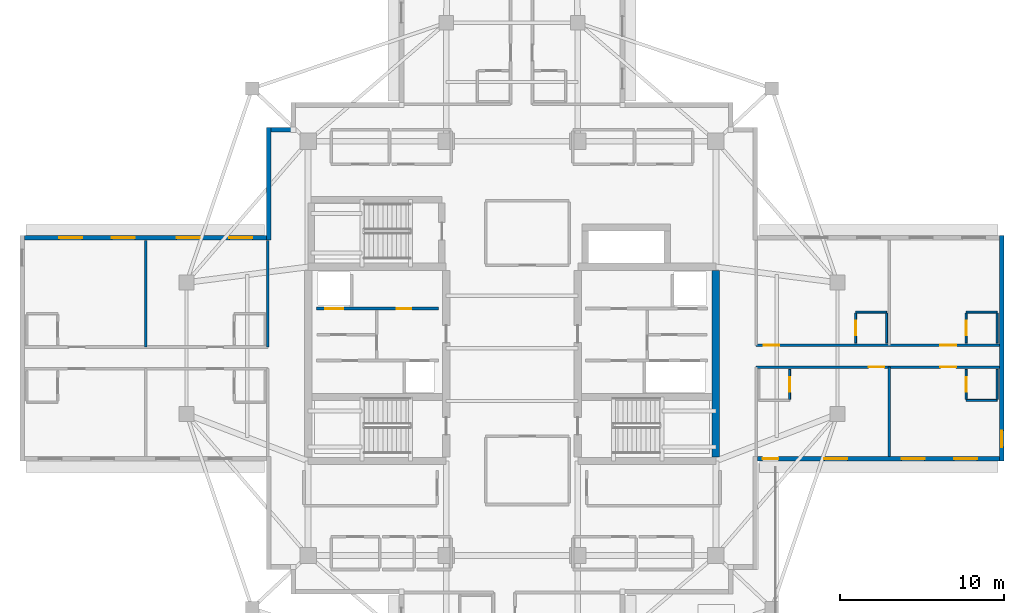
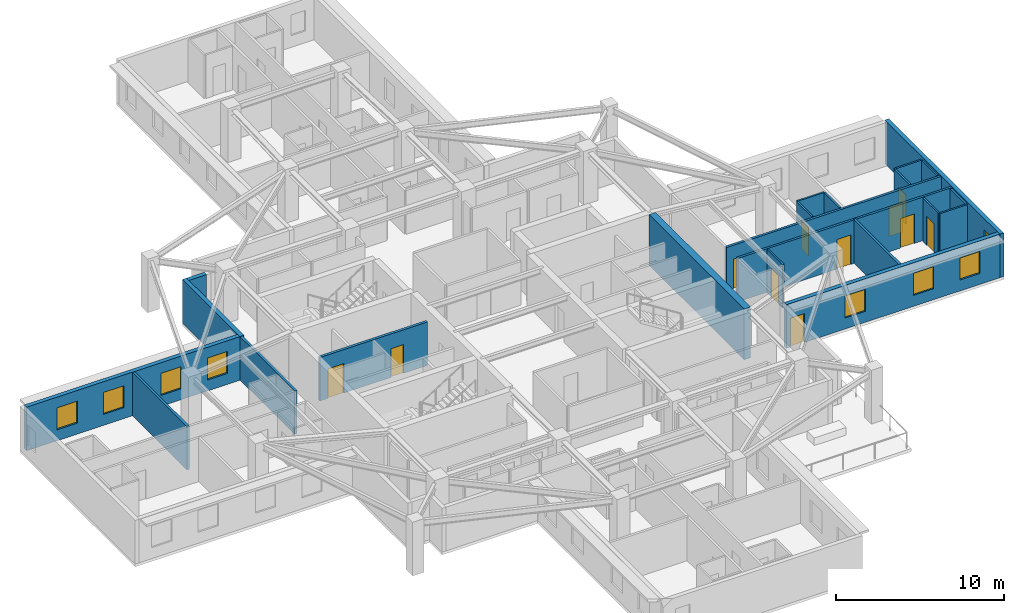
# One storey, part 6 of 13: 22 walls, 11 doors, 8 windows, 19 openings.
"""IFC4 building model written with IfcOpenShell, lengths in metres."""

from ifc_helpers import new_model, si_unit, direction, frame, frame_2d, origin, place, context, subcontext, project, spatial, rectangle, extrude, material, layer, layer_set, type_object, element, fill, save


model = new_model("IFC4")

# Units and contexts
model_context = context("Model", 3, precision=1e-05, world=origin(), true_north=direction((0.0, 1.0)))
body_context = subcontext(model_context, "Body", "Model", "MODEL_VIEW")
ifc_project = project(units=[si_unit("LENGTHUNIT", "METRE"), si_unit("AREAUNIT", "SQUARE_METRE"), si_unit("VOLUMEUNIT", "CUBIC_METRE"), si_unit("PLANEANGLEUNIT", "RADIAN"), si_unit("MASSUNIT", "GRAM", prefix="KILO")], contexts=[model_context])

# Site, building, storey
site_placement = place(None, origin())
site = spatial("IfcSite", under=ifc_project, at=site_placement, CompositionType="ELEMENT")
building_placement = place(site_placement, origin())
building = spatial("IfcBuilding", under=site, at=building_placement, Name="Qingluan Cross Belvedere", CompositionType="ELEMENT")
storey_placement = place(building_placement, frame((0.0, 0.0, 224.699951171875)))
storey = spatial("IfcBuildingStorey", under=building, at=storey_placement, Name="L56", CompositionType="ELEMENT", Elevation=224.699951171875)

# Wall
ifc_material_1 = material(Name="Concrete C50", Category="concrete")
ifc_layer_1 = layer(ifc_material_1, 0.449951171875, Name="CoreShearWall_450")
ifc_layer_set_1 = layer_set([ifc_layer_1], Name="Concrete C50")
wall_type_1 = type_object("IfcWallType", Name="CoreShearWall_450", PredefinedType="SHEAR", material=ifc_layer_set_1)
wall_1_placement = place(storey_placement, frame((12.39990234375, -6.6201171875, 0.0), z_axis=(0.0, 0.0, 1.0), x_axis=(0.0, 1.0, 0.0)))
element("IfcWall", 1, at=wall_1_placement, inside=storey, type_object=wall_type_1, Name="Split core E shear wall L56-E", PredefinedType="SHEAR", context=body_context, shape_type="SweptSolid", body=[
    extrude(rectangle(XDim=11.340087890625, YDim=0.449951171875, at=frame_2d((5.669921875, 0.0))), origin(), (0.0, 0.0, 1.0), 3.699951171875),
])

# Wall, openings, doors
ifc_material_2 = material(Name="Gypsum plasterboard on steel stud acoustic partition", Category="steel")
ifc_layer_2 = layer(ifc_material_2, 0.159912109375, Name="CorridorPartition_160")
ifc_layer_set_2 = layer_set([ifc_layer_2], Name="Gypsum plasterboard on steel stud acoustic partition")
wall_type_2 = type_object("IfcWallType", Name="CorridorPartition_160", PredefinedType="PARTITIONING", material=ifc_layer_set_2)
wall_2_placement = place(storey_placement, frame((14.85009765625, 0.179931640625, 0.0), z_axis=(0.0, 0.0, 1.0), x_axis=(1.0, 0.0, 0.0)))
wall_2 = element("IfcWall", 2, at=wall_2_placement, inside=storey, type_object=wall_type_2, Name="Partition L56:E:c0", PredefinedType="PARTITIONING", context=body_context, shape_type="SweptSolid", body=[
    extrude(rectangle(XDim=14.781982421875, YDim=0.159912109375, at=frame_2d((7.39111328125, 0.0))), origin(), (0.0, 0.0, 1.0), 3.170166015625),
])
opening_1_placement = place(wall_2_placement, frame((0.449951171875, 0.0, 0.0)))
opening_1 = element("IfcOpeningElement", 3, at=opening_1_placement, cuts=wall_2, Name="Opening GD-10", PredefinedType="OPENING", context=body_context, shape_type="SweptSolid", body=[
    extrude(rectangle(XDim=0.9599609375, YDim=2.14990234375, at=frame_2d((0.47998046875, 1.074951171875))), frame((0.0, 0.08984375, 0.0), z_axis=(0.0, -1.0, 0.0), x_axis=(1.0, 0.0, 0.0)), (0.0, 0.0, 1.0), 0.179931640625),
])
opening_2_placement = place(wall_2_placement, frame((11.197998046875, 0.0, 0.0)))
opening_2 = element("IfcOpeningElement", 4, at=opening_2_placement, cuts=wall_2, Name="Opening GD-10", PredefinedType="OPENING", context=body_context, shape_type="SweptSolid", body=[
    extrude(rectangle(XDim=0.9599609375, YDim=2.14990234375, at=frame_2d((0.47998046875, 1.074951171875))), frame((0.0, 0.08984375, 0.0), z_axis=(0.0, -1.0, 0.0), x_axis=(1.0, 0.0, 0.0)), (0.0, 0.0, 1.0), 0.179931640625),
])
ifc_material_3 = material(Name="Timber oak fire-rated acoustic guestroom door", Category="wood")
door_type_1 = type_object("IfcDoorType", Name="GuestEntryDoor_FD60", OperationType="NOTDEFINED", PredefinedType="DOOR", material=ifc_material_3)
door_1_placement = place(opening_1_placement, origin())
door_1 = element("IfcDoor", 5, at=door_1_placement, inside=storey, type_object=door_type_1, Name="Guest entry fire door 5601", OperationType="SINGLE_SWING_LEFT", OverallHeight=2.14990234375, OverallWidth=0.9599609375, PredefinedType="DOOR", context=body_context, shape_type="SweptSolid", body=[
    extrude(rectangle(XDim=0.9599609375, YDim=2.14990234375, at=frame_2d((0.47998046875, 1.074951171875))), frame((0.0, 0.02490234375, 0.0), z_axis=(0.0, -1.0, 0.0), x_axis=(1.0, 0.0, 0.0)), (0.0, 0.0, 1.0), 0.050048828125),
])
fill(opening_1, door_1)
door_2_placement = place(opening_2_placement, origin())
door_2 = element("IfcDoor", 6, at=door_2_placement, inside=storey, type_object=door_type_1, Name="Guest entry fire door 5602", OperationType="SINGLE_SWING_LEFT", OverallHeight=2.14990234375, OverallWidth=0.9599609375, PredefinedType="DOOR", context=body_context, shape_type="SweptSolid", body=[
    extrude(rectangle(XDim=0.9599609375, YDim=2.14990234375, at=frame_2d((0.47998046875, 1.074951171875))), frame((0.0, 0.02490234375, 0.0), z_axis=(0.0, -1.0, 0.0), x_axis=(1.0, 0.0, 0.0)), (0.0, 0.0, 1.0), 0.050048828125),
])
fill(opening_2, door_2)

wall_3_placement = place(storey_placement, frame((14.85009765625, -1.139892578125, 0.0), z_axis=(0.0, 0.0, 1.0), x_axis=(1.0, 0.0, 0.0)))
wall_3 = element("IfcWall", 7, at=wall_3_placement, inside=storey, type_object=wall_type_2, Name="Partition L56:E:c1", PredefinedType="PARTITIONING", context=body_context, shape_type="SweptSolid", body=[
    extrude(rectangle(XDim=14.781982421875, YDim=0.159912109375, at=frame_2d((7.39111328125, 0.0))), origin(), (0.0, 0.0, 1.0), 3.170166015625),
])
opening_3_placement = place(wall_3_placement, frame((6.83203125, 0.0, 0.0)))
opening_3 = element("IfcOpeningElement", 8, at=opening_3_placement, cuts=wall_3, Name="Opening GD-10", PredefinedType="OPENING", context=body_context, shape_type="SweptSolid", body=[
    extrude(rectangle(XDim=0.9599609375, YDim=2.14990234375, at=frame_2d((0.47998046875, 1.074951171875))), frame((0.0, 0.08984375, 0.0), z_axis=(0.0, -1.0, 0.0), x_axis=(1.0, 0.0, 0.0)), (0.0, 0.0, 1.0), 0.179931640625),
])
opening_4_placement = place(wall_3_placement, frame((11.197998046875, 0.0, 0.0)))
opening_4 = element("IfcOpeningElement", 9, at=opening_4_placement, cuts=wall_3, Name="Opening GD-10", PredefinedType="OPENING", context=body_context, shape_type="SweptSolid", body=[
    extrude(rectangle(XDim=0.9599609375, YDim=2.14990234375, at=frame_2d((0.47998046875, 1.074951171875))), frame((0.0, 0.08984375, 0.0), z_axis=(0.0, -1.0, 0.0), x_axis=(1.0, 0.0, 0.0)), (0.0, 0.0, 1.0), 0.179931640625),
])
door_3_placement = place(opening_3_placement, origin())
door_3 = element("IfcDoor", 10, at=door_3_placement, inside=storey, type_object=door_type_1, Name="Guest entry fire door 5603", OperationType="SINGLE_SWING_LEFT", OverallHeight=2.14990234375, OverallWidth=0.9599609375, PredefinedType="DOOR", context=body_context, shape_type="SweptSolid", body=[
    extrude(rectangle(XDim=0.9599609375, YDim=2.14990234375, at=frame_2d((0.47998046875, 1.074951171875))), frame((0.0, 0.02490234375, 0.0), z_axis=(0.0, -1.0, 0.0), x_axis=(1.0, 0.0, 0.0)), (0.0, 0.0, 1.0), 0.050048828125),
])
fill(opening_3, door_3)
door_4_placement = place(opening_4_placement, origin())
door_4 = element("IfcDoor", 11, at=door_4_placement, inside=storey, type_object=door_type_1, Name="Guest entry fire door 5604", OperationType="SINGLE_SWING_LEFT", OverallHeight=2.14990234375, OverallWidth=0.9599609375, PredefinedType="DOOR", context=body_context, shape_type="SweptSolid", body=[
    extrude(rectangle(XDim=0.9599609375, YDim=2.14990234375, at=frame_2d((0.47998046875, 1.074951171875))), frame((0.0, 0.02490234375, 0.0), z_axis=(0.0, -1.0, 0.0), x_axis=(1.0, 0.0, 0.0)), (0.0, 0.0, 1.0), 0.050048828125),
])
fill(opening_4, door_4)

# Walls
wall_4_placement = place(storey_placement, frame((22.94189453125, -1.139892578125, 0.0), z_axis=(0.0, 0.0, 1.0), x_axis=(0.0, -1.0, 0.0)))
element("IfcWall", 12, at=wall_4_placement, inside=storey, type_object=wall_type_2, Name="Partition L56:E:d1_0", PredefinedType="PARTITIONING", context=body_context, shape_type="SweptSolid", body=[
    extrude(rectangle(XDim=5.43212890625, YDim=0.159912109375, at=frame_2d((2.716064453125, 0.0))), origin(), (0.0, 0.0, 1.0), 3.170166015625),
])
for number, where, z_axis, x_axis, name in (
    (13, (-14.85009765625, 0.080078125, 0.0), (0.0, 0.0, 1.0), (0.0, 1.0, 0.0), "Partition L56:W:s0"),
    (14, (-22.26708984375, 0.080078125, 0.0), (0.0, 0.0, 1.0), (0.0, 1.0, 0.0), "Partition L56:W:d0_0"),
):
    element("IfcWall", number, at=place(storey_placement, frame(where, z_axis=z_axis, x_axis=x_axis)), inside=storey, type_object=wall_type_2, Name=name, PredefinedType="PARTITIONING", context=body_context, shape_type="SweptSolid", body=[
        extrude(rectangle(XDim=6.491943359375, YDim=0.159912109375, at=frame_2d((3.24609375, 0.0))), origin(), (0.0, 0.0, 1.0), 3.170166015625),
    ])

# Wall, opening, door
ifc_material_4 = material(Name="Moisture-resistant gypsum board lining")
ifc_layer_3 = layer(ifc_material_4, 0.1201171875, Name="EnsuiteWetPartition_120")
ifc_layer_set_3 = layer_set([ifc_layer_3], Name="Moisture-resistant gypsum board lining")
wall_type_3 = type_object("IfcWallType", Name="EnsuiteWetPartition_120", PredefinedType="PARTITIONING", material=ifc_layer_set_3)
wall_5_placement = place(storey_placement, frame((20.902099609375, 0.320068359375, 0.0), z_axis=(0.0, 0.0, 1.0), x_axis=(0.0, 1.0, 0.0)))
wall_5 = element("IfcWall", 15, at=wall_5_placement, inside=storey, type_object=wall_type_3, Name="Partition L56:E:bs0_0", PredefinedType="PARTITIONING", context=body_context, shape_type="SweptSolid", body=[
    extrude(rectangle(XDim=1.81982421875, YDim=0.1201171875, at=frame_2d((0.909912109375, 0.0))), origin(), (0.0, 0.0, 1.0), 3.170166015625),
])
opening_5_placement = place(wall_5_placement, frame((0.469970703125, 0.0, 0.0)))
opening_5 = element("IfcOpeningElement", 16, at=opening_5_placement, cuts=wall_5, Name="Opening BD-09", PredefinedType="OPENING", context=body_context, shape_type="SweptSolid", body=[
    extrude(rectangle(XDim=0.8798828125, YDim=2.10009765625, at=frame_2d((0.43994140625, 1.050048828125))), frame((0.0, 0.070068359375, 0.0), z_axis=(0.0, -1.0, 0.0), x_axis=(1.0, 0.0, 0.0)), (0.0, 0.0, 1.0), 0.14013671875),
])
ifc_material_5 = material(Name="Moisture-sealed timber en-suite door", Category="wood")
door_type_2 = type_object("IfcDoorType", Name="BathroomDoor_880", OperationType="NOTDEFINED", PredefinedType="DOOR", material=ifc_material_5)
door_5_placement = place(opening_5_placement, origin())
door_5 = element("IfcDoor", 17, at=door_5_placement, inside=storey, type_object=door_type_2, Name="Bathroom door 5601", OperationType="SINGLE_SWING_RIGHT", OverallHeight=2.10009765625, OverallWidth=0.8798828125, PredefinedType="DOOR", context=body_context, shape_type="SweptSolid", body=[
    extrude(rectangle(XDim=0.8798828125, YDim=2.10009765625, at=frame_2d((0.43994140625, 1.050048828125))), frame((0.0, 0.02490234375, 0.0), z_axis=(0.0, -1.0, 0.0), x_axis=(1.0, 0.0, 0.0)), (0.0, 0.0, 1.0), 0.050048828125),
])
fill(opening_5, door_5)

# Walls
wall_6_placement = place(storey_placement, frame((22.781982421875, 0.320068359375, 0.0), z_axis=(0.0, 0.0, 1.0), x_axis=(0.0, 1.0, 0.0)))
element("IfcWall", 18, at=wall_6_placement, inside=storey, type_object=wall_type_3, Name="Partition L56:E:bw0_0", PredefinedType="PARTITIONING", context=body_context, shape_type="SweptSolid", body=[
    extrude(rectangle(XDim=1.81982421875, YDim=0.1201171875, at=frame_2d((0.909912109375, 0.0))), origin(), (0.0, 0.0, 1.0), 3.170166015625),
])
wall_7_placement = place(storey_placement, frame((20.902099609375, 2.205078125, 0.0), z_axis=(0.0, 0.0, 1.0), x_axis=(1.0, 0.0, 0.0)))
element("IfcWall", 19, at=wall_7_placement, inside=storey, type_object=wall_type_3, Name="Partition L56:E:bn0_0", PredefinedType="PARTITIONING", context=body_context, shape_type="SweptSolid", body=[
    extrude(rectangle(XDim=1.8798828125, YDim=0.1201171875, at=frame_2d((0.93994140625, 0.0))), origin(), (0.0, 0.0, 1.0), 3.170166015625),
])

# Wall, opening, door
wall_8_placement = place(storey_placement, frame((27.6201171875, 0.320068359375, 0.0), z_axis=(0.0, 0.0, 1.0), x_axis=(0.0, 1.0, 0.0)))
wall_8 = element("IfcWall", 20, at=wall_8_placement, inside=storey, type_object=wall_type_3, Name="Partition L56:E:bs0_1", PredefinedType="PARTITIONING", context=body_context, shape_type="SweptSolid", body=[
    extrude(rectangle(XDim=1.81982421875, YDim=0.1201171875, at=frame_2d((0.909912109375, 0.0))), origin(), (0.0, 0.0, 1.0), 3.170166015625),
])
opening_6_placement = place(wall_8_placement, frame((0.469970703125, 0.0, 0.0)))
opening_6 = element("IfcOpeningElement", 21, at=opening_6_placement, cuts=wall_8, Name="Opening BD-09", PredefinedType="OPENING", context=body_context, shape_type="SweptSolid", body=[
    extrude(rectangle(XDim=0.8798828125, YDim=2.10009765625, at=frame_2d((0.43994140625, 1.050048828125))), frame((0.0, 0.070068359375, 0.0), z_axis=(0.0, -1.0, 0.0), x_axis=(1.0, 0.0, 0.0)), (0.0, 0.0, 1.0), 0.14013671875),
])
door_6_placement = place(opening_6_placement, origin())
door_6 = element("IfcDoor", 22, at=door_6_placement, inside=storey, type_object=door_type_2, Name="Bathroom door 5602", OperationType="SINGLE_SWING_RIGHT", OverallHeight=2.10009765625, OverallWidth=0.8798828125, PredefinedType="DOOR", context=body_context, shape_type="SweptSolid", body=[
    extrude(rectangle(XDim=0.8798828125, YDim=2.10009765625, at=frame_2d((0.43994140625, 1.050048828125))), frame((0.0, 0.02490234375, 0.0), z_axis=(0.0, -1.0, 0.0), x_axis=(1.0, 0.0, 0.0)), (0.0, 0.0, 1.0), 0.050048828125),
])
fill(opening_6, door_6)

# Walls
wall_9_placement = place(storey_placement, frame((29.5, 0.320068359375, 0.0), z_axis=(0.0, 0.0, 1.0), x_axis=(0.0, 1.0, 0.0)))
element("IfcWall", 23, at=wall_9_placement, inside=storey, type_object=wall_type_3, Name="Partition L56:E:bw0_1", PredefinedType="PARTITIONING", context=body_context, shape_type="SweptSolid", body=[
    extrude(rectangle(XDim=1.81982421875, YDim=0.1201171875, at=frame_2d((0.909912109375, 0.0))), origin(), (0.0, 0.0, 1.0), 3.170166015625),
])
wall_10_placement = place(storey_placement, frame((27.6201171875, 2.205078125, 0.0), z_axis=(0.0, 0.0, 1.0), x_axis=(1.0, 0.0, 0.0)))
element("IfcWall", 24, at=wall_10_placement, inside=storey, type_object=wall_type_3, Name="Partition L56:E:bn0_1", PredefinedType="PARTITIONING", context=body_context, shape_type="SweptSolid", body=[
    extrude(rectangle(XDim=1.8798828125, YDim=0.1201171875, at=frame_2d((0.93994140625, 0.0))), origin(), (0.0, 0.0, 1.0), 3.170166015625),
])

# Wall, opening, door
wall_11_placement = place(storey_placement, frame((16.889892578125, -3.10009765625, 0.0), z_axis=(0.0, 0.0, 1.0), x_axis=(0.0, 1.0, 0.0)))
wall_11 = element("IfcWall", 25, at=wall_11_placement, inside=storey, type_object=wall_type_3, Name="Partition L56:E:bs1_0", PredefinedType="PARTITIONING", context=body_context, shape_type="SweptSolid", body=[
    extrude(rectangle(XDim=1.820068359375, YDim=0.1201171875, at=frame_2d((0.91015625, 0.0))), origin(), (0.0, 0.0, 1.0), 3.170166015625),
])
opening_7_placement = place(wall_11_placement, frame((0.469970703125, 0.0, 0.0)))
opening_7 = element("IfcOpeningElement", 26, at=opening_7_placement, cuts=wall_11, Name="Opening BD-09", PredefinedType="OPENING", context=body_context, shape_type="SweptSolid", body=[
    extrude(rectangle(XDim=0.8798828125, YDim=2.10009765625, at=frame_2d((0.43994140625, 1.050048828125))), frame((0.0, 0.070068359375, 0.0), z_axis=(0.0, -1.0, 0.0), x_axis=(1.0, 0.0, 0.0)), (0.0, 0.0, 1.0), 0.14013671875),
])
door_7_placement = place(opening_7_placement, origin())
door_7 = element("IfcDoor", 27, at=door_7_placement, inside=storey, type_object=door_type_2, Name="Bathroom door 5603", OperationType="SINGLE_SWING_RIGHT", OverallHeight=2.10009765625, OverallWidth=0.8798828125, PredefinedType="DOOR", context=body_context, shape_type="SweptSolid", body=[
    extrude(rectangle(XDim=0.8798828125, YDim=2.10009765625, at=frame_2d((0.43994140625, 1.050048828125))), frame((0.0, 0.02490234375, 0.0), z_axis=(0.0, -1.0, 0.0), x_axis=(1.0, 0.0, 0.0)), (0.0, 0.0, 1.0), 0.050048828125),
])
fill(opening_7, door_7)

wall_12_placement = place(storey_placement, frame((27.6201171875, -3.10009765625, 0.0), z_axis=(0.0, 0.0, 1.0), x_axis=(0.0, 1.0, 0.0)))
wall_12 = element("IfcWall", 28, at=wall_12_placement, inside=storey, type_object=wall_type_3, Name="Partition L56:E:bs1_1", PredefinedType="PARTITIONING", context=body_context, shape_type="SweptSolid", body=[
    extrude(rectangle(XDim=1.820068359375, YDim=0.1201171875, at=frame_2d((0.91015625, 0.0))), origin(), (0.0, 0.0, 1.0), 3.170166015625),
])
opening_8_placement = place(wall_12_placement, frame((0.469970703125, 0.0, 0.0)))
opening_8 = element("IfcOpeningElement", 29, at=opening_8_placement, cuts=wall_12, Name="Opening BD-09", PredefinedType="OPENING", context=body_context, shape_type="SweptSolid", body=[
    extrude(rectangle(XDim=0.8798828125, YDim=2.10009765625, at=frame_2d((0.43994140625, 1.050048828125))), frame((0.0, 0.070068359375, 0.0), z_axis=(0.0, -1.0, 0.0), x_axis=(1.0, 0.0, 0.0)), (0.0, 0.0, 1.0), 0.14013671875),
])
door_8_placement = place(opening_8_placement, origin())
door_8 = element("IfcDoor", 30, at=door_8_placement, inside=storey, type_object=door_type_2, Name="Bathroom door 5604", OperationType="SINGLE_SWING_RIGHT", OverallHeight=2.10009765625, OverallWidth=0.8798828125, PredefinedType="DOOR", context=body_context, shape_type="SweptSolid", body=[
    extrude(rectangle(XDim=0.8798828125, YDim=2.10009765625, at=frame_2d((0.43994140625, 1.050048828125))), frame((0.0, 0.02490234375, 0.0), z_axis=(0.0, -1.0, 0.0), x_axis=(1.0, 0.0, 0.0)), (0.0, 0.0, 1.0), 0.050048828125),
])
fill(opening_8, door_8)

# Walls
wall_13_placement = place(storey_placement, frame((29.5, -3.10009765625, 0.0), z_axis=(0.0, 0.0, 1.0), x_axis=(0.0, 1.0, 0.0)))
element("IfcWall", 31, at=wall_13_placement, inside=storey, type_object=wall_type_3, Name="Partition L56:E:bw1_1", PredefinedType="PARTITIONING", context=body_context, shape_type="SweptSolid", body=[
    extrude(rectangle(XDim=1.820068359375, YDim=0.1201171875, at=frame_2d((0.91015625, 0.0))), origin(), (0.0, 0.0, 1.0), 3.170166015625),
])
wall_14_placement = place(storey_placement, frame((27.6201171875, -3.1650390625, 0.0), z_axis=(0.0, 0.0, 1.0), x_axis=(1.0, 0.0, 0.0)))
element("IfcWall", 32, at=wall_14_placement, inside=storey, type_object=wall_type_3, Name="Partition L56:E:bc1_1", PredefinedType="PARTITIONING", context=body_context, shape_type="SweptSolid", body=[
    extrude(rectangle(XDim=1.8798828125, YDim=0.1201171875, at=frame_2d((0.93994140625, 0.0))), origin(), (0.0, 0.0, 1.0), 3.170166015625),
])

# Wall, openings, windows, door
ifc_material_6 = material(Name="Precast concrete C45", Category="concrete")
ifc_layer_4 = layer(ifc_material_6, 0.280029296875, Name="PrecastFacadeWall_280")
ifc_layer_set_4 = layer_set([ifc_layer_4], Name="Precast concrete C45")
wall_type_4 = type_object("IfcWallType", Name="PrecastFacadeWall_280", PredefinedType="STANDARD", material=ifc_layer_set_4)
wall_15_placement = place(storey_placement, frame((14.93994140625, -6.719970703125, 0.0), z_axis=(0.0, 0.0, 1.0), x_axis=(1.0, 0.0, 0.0)))
wall_15 = element("IfcWall", 33, at=wall_15_placement, inside=storey, type_object=wall_type_4, Name="Facade wall L56-EA", PredefinedType="STANDARD", context=body_context, shape_type="SweptSolid", body=[
    extrude(rectangle(XDim=14.699951171875, YDim=0.280029296875, at=frame_2d((7.35009765625, 0.0))), origin(), (0.0, 0.0, 1.0), 3.179931640625),
])
opening_9_placement = place(wall_15_placement, frame((4.050048828125, 0.0, 0.800048828125)))
opening_9 = element("IfcOpeningElement", 34, at=opening_9_placement, cuts=wall_15, Name="Opening W-01", PredefinedType="OPENING", context=body_context, shape_type="SweptSolid", body=[
    extrude(rectangle(XDim=1.39990234375, YDim=1.60009765625, at=frame_2d((0.699951171875, 0.800048828125))), frame((0.0, 0.14990234375, 0.0), z_axis=(0.0, -1.0, 0.0), x_axis=(1.0, 0.0, 0.0)), (0.0, 0.0, 1.0), 0.300048828125),
])
opening_10_placement = place(wall_15_placement, frame((8.75, 0.0, 0.800048828125)))
opening_10 = element("IfcOpeningElement", 35, at=opening_10_placement, cuts=wall_15, Name="Opening W-01", PredefinedType="OPENING", context=body_context, shape_type="SweptSolid", body=[
    extrude(rectangle(XDim=1.39990234375, YDim=1.60009765625, at=frame_2d((0.699951171875, 0.800048828125))), frame((0.0, 0.14990234375, 0.0), z_axis=(0.0, -1.0, 0.0), x_axis=(1.0, 0.0, 0.0)), (0.0, 0.0, 1.0), 0.300048828125),
])
opening_11_placement = place(wall_15_placement, frame((11.949951171875, 0.0, 0.800048828125)))
opening_11 = element("IfcOpeningElement", 36, at=opening_11_placement, cuts=wall_15, Name="Opening W-01", PredefinedType="OPENING", context=body_context, shape_type="SweptSolid", body=[
    extrude(rectangle(XDim=1.39990234375, YDim=1.60009765625, at=frame_2d((0.699951171875, 0.800048828125))), frame((0.0, 0.14990234375, 0.0), z_axis=(0.0, -1.0, 0.0), x_axis=(1.0, 0.0, 0.0)), (0.0, 0.0, 1.0), 0.300048828125),
])
opening_12_placement = place(wall_15_placement, frame((0.300048828125, 0.0, 0.0)))
opening_12 = element("IfcOpeningElement", 37, at=opening_12_placement, cuts=wall_15, Name="Opening WD-10", PredefinedType="OPENING", context=body_context, shape_type="SweptSolid", body=[
    extrude(rectangle(XDim=0.9599609375, YDim=2.10009765625, at=frame_2d((0.47998046875, 1.050048828125))), frame((0.0, 0.14990234375, 0.0), z_axis=(0.0, -1.0, 0.0), x_axis=(1.0, 0.0, 0.0)), (0.0, 0.0, 1.0), 0.300048828125),
])
ifc_material_7 = material(Name="Thermally broken triple Low-E glass in aluminium frame", Category="aluminium")
window_type_1 = type_object("IfcWindowType", Name="TriRibbonWin_1400x1600", PartitioningType="SINGLE_PANEL", PredefinedType="WINDOW", material=ifc_material_7)
window_1_placement = place(opening_9_placement, origin())
window_1 = element("IfcWindow", 38, at=window_1_placement, inside=storey, type_object=window_type_1, Name="Ribbon window L56-EA-2", OverallHeight=1.60009765625, OverallWidth=1.39990234375, PartitioningType="SINGLE_PANEL", PredefinedType="WINDOW", context=body_context, shape_type="SweptSolid", body=[
    extrude(rectangle(XDim=1.39990234375, YDim=1.60009765625, at=frame_2d((0.699951171875, 0.800048828125))), frame((0.0, 0.030029296875, 0.0), z_axis=(0.0, -1.0, 0.0), x_axis=(1.0, 0.0, 0.0)), (0.0, 0.0, 1.0), 0.06005859375),
])
fill(opening_9, window_1)
window_2_placement = place(opening_10_placement, origin())
window_2 = element("IfcWindow", 39, at=window_2_placement, inside=storey, type_object=window_type_1, Name="Ribbon window L56-EA-3", OverallHeight=1.60009765625, OverallWidth=1.39990234375, PartitioningType="SINGLE_PANEL", PredefinedType="WINDOW", context=body_context, shape_type="SweptSolid", body=[
    extrude(rectangle(XDim=1.39990234375, YDim=1.60009765625, at=frame_2d((0.699951171875, 0.800048828125))), frame((0.0, 0.030029296875, 0.0), z_axis=(0.0, -1.0, 0.0), x_axis=(1.0, 0.0, 0.0)), (0.0, 0.0, 1.0), 0.06005859375),
])
fill(opening_10, window_2)
window_3_placement = place(opening_11_placement, origin())
window_3 = element("IfcWindow", 40, at=window_3_placement, inside=storey, type_object=window_type_1, Name="Ribbon window L56-EA-4", OverallHeight=1.60009765625, OverallWidth=1.39990234375, PartitioningType="SINGLE_PANEL", PredefinedType="WINDOW", context=body_context, shape_type="SweptSolid", body=[
    extrude(rectangle(XDim=1.39990234375, YDim=1.60009765625, at=frame_2d((0.699951171875, 0.800048828125))), frame((0.0, 0.030029296875, 0.0), z_axis=(0.0, -1.0, 0.0), x_axis=(1.0, 0.0, 0.0)), (0.0, 0.0, 1.0), 0.06005859375),
])
fill(opening_11, window_3)
ifc_material_8 = material(Name="Thermally broken aluminium and Low-E glass", Category="aluminium")
door_type_3 = type_object("IfcDoorType", Name="WinterGardenDoor_096", OperationType="NOTDEFINED", PredefinedType="DOOR", material=ifc_material_8)
door_9_placement = place(opening_12_placement, origin())
door_9 = element("IfcDoor", 41, at=door_9_placement, inside=storey, type_object=door_type_3, Name="Outdoor terrace access door L56-spi", OperationType="SINGLE_SWING_RIGHT", OverallHeight=2.10009765625, OverallWidth=0.9599609375, PredefinedType="DOOR", context=body_context, shape_type="SweptSolid", body=[
    extrude(rectangle(XDim=0.9599609375, YDim=2.10009765625, at=frame_2d((0.47998046875, 1.050048828125))), frame((0.0, 0.02490234375, 0.0), z_axis=(0.0, -1.0, 0.0), x_axis=(1.0, 0.0, 0.0)), (0.0, 0.0, 1.0), 0.050048828125),
])
fill(opening_12, door_9)

# Wall, opening, window
wall_16_placement = place(storey_placement, frame((29.780029296875, -6.860107421875, 0.0), z_axis=(0.0, 0.0, 1.0), x_axis=(0.0, 1.0, 0.0)))
wall_16 = element("IfcWall", 42, at=wall_16_placement, inside=storey, type_object=wall_type_4, Name="Arm tip precast facade wall L56-E", PredefinedType="STANDARD", context=body_context, shape_type="SweptSolid", body=[
    extrude(rectangle(XDim=13.72021484375, YDim=0.280029296875, at=frame_2d((6.860107421875, 0.0))), origin(), (0.0, 0.0, 1.0), 3.179931640625),
])
opening_13_placement = place(wall_16_placement, frame((0.85009765625, 0.0, 0.85009765625)))
opening_13 = element("IfcOpeningElement", 43, at=opening_13_placement, cuts=wall_16, Name="Opening W-03", PredefinedType="OPENING", context=body_context, shape_type="SweptSolid", body=[
    extrude(rectangle(XDim=1.0, YDim=1.5, at=frame_2d((0.5, 0.75))), frame((0.0, 0.14990234375, 0.0), z_axis=(0.0, -1.0, 0.0), x_axis=(1.0, 0.0, 0.0)), (0.0, 0.0, 1.0), 0.300048828125),
])
ifc_material_9 = material(Name="Thermally broken triple Low-E glass in aluminium frame", Category="aluminium")
window_type_2 = type_object("IfcWindowType", Name="TriApexWin_1000x1500", PartitioningType="SINGLE_PANEL", PredefinedType="WINDOW", material=ifc_material_9)
window_4_placement = place(opening_13_placement, origin())
window_4 = element("IfcWindow", 44, at=window_4_placement, inside=storey, type_object=window_type_2, Name="Arm tip triangular window L56-E", OverallHeight=1.5, OverallWidth=1.0, PartitioningType="SINGLE_PANEL", PredefinedType="WINDOW", context=body_context, shape_type="SweptSolid", body=[
    extrude(rectangle(XDim=1.0, YDim=1.5, at=frame_2d((0.5, 0.75))), frame((0.0, 0.030029296875, 0.0), z_axis=(0.0, -1.0, 0.0), x_axis=(1.0, 0.0, 0.0)), (0.0, 0.0, 1.0), 0.06005859375),
])
fill(opening_13, window_4)

# Wall, openings, windows
wall_17_placement = place(storey_placement, frame((-14.93994140625, 6.719970703125, 0.0), z_axis=(0.0, 0.0, 1.0), x_axis=(-1.0, 0.0, 0.0)))
wall_17 = element("IfcWall", 45, at=wall_17_placement, inside=storey, type_object=wall_type_4, Name="Facade wall L56-WA", PredefinedType="STANDARD", context=body_context, shape_type="SweptSolid", body=[
    extrude(rectangle(XDim=14.699951171875, YDim=0.280029296875, at=frame_2d((7.35009765625, 0.0))), origin(), (0.0, 0.0, 1.0), 3.179931640625),
])
opening_14_placement = place(wall_17_placement, frame((0.85009765625, 0.0, 0.800048828125)))
opening_14 = element("IfcOpeningElement", 46, at=opening_14_placement, cuts=wall_17, Name="Opening W-01", PredefinedType="OPENING", context=body_context, shape_type="SweptSolid", body=[
    extrude(rectangle(XDim=1.39990234375, YDim=1.60009765625, at=frame_2d((0.699951171875, 0.800048828125))), frame((0.0, 0.14990234375, 0.0), z_axis=(0.0, -1.0, 0.0), x_axis=(1.0, 0.0, 0.0)), (0.0, 0.0, 1.0), 0.300048828125),
])
opening_15_placement = place(wall_17_placement, frame((4.050048828125, 0.0, 0.800048828125)))
opening_15 = element("IfcOpeningElement", 47, at=opening_15_placement, cuts=wall_17, Name="Opening W-01", PredefinedType="OPENING", context=body_context, shape_type="SweptSolid", body=[
    extrude(rectangle(XDim=1.39990234375, YDim=1.60009765625, at=frame_2d((0.699951171875, 0.800048828125))), frame((0.0, 0.14990234375, 0.0), z_axis=(0.0, -1.0, 0.0), x_axis=(1.0, 0.0, 0.0)), (0.0, 0.0, 1.0), 0.300048828125),
])
opening_16_placement = place(wall_17_placement, frame((8.0, 0.0, 0.800048828125)))
opening_16 = element("IfcOpeningElement", 48, at=opening_16_placement, cuts=wall_17, Name="Opening W-01", PredefinedType="OPENING", context=body_context, shape_type="SweptSolid", body=[
    extrude(rectangle(XDim=1.39990234375, YDim=1.60009765625, at=frame_2d((0.699951171875, 0.800048828125))), frame((0.0, 0.14990234375, 0.0), z_axis=(0.0, -1.0, 0.0), x_axis=(1.0, 0.0, 0.0)), (0.0, 0.0, 1.0), 0.300048828125),
])
opening_17_placement = place(wall_17_placement, frame((11.199951171875, 0.0, 0.800048828125)))
opening_17 = element("IfcOpeningElement", 49, at=opening_17_placement, cuts=wall_17, Name="Opening W-01", PredefinedType="OPENING", context=body_context, shape_type="SweptSolid", body=[
    extrude(rectangle(XDim=1.39990234375, YDim=1.60009765625, at=frame_2d((0.699951171875, 0.800048828125))), frame((0.0, 0.14990234375, 0.0), z_axis=(0.0, -1.0, 0.0), x_axis=(1.0, 0.0, 0.0)), (0.0, 0.0, 1.0), 0.300048828125),
])
window_5_placement = place(opening_14_placement, origin())
window_5 = element("IfcWindow", 50, at=window_5_placement, inside=storey, type_object=window_type_1, Name="Ribbon window L56-WA-1", OverallHeight=1.60009765625, OverallWidth=1.39990234375, PartitioningType="SINGLE_PANEL", PredefinedType="WINDOW", context=body_context, shape_type="SweptSolid", body=[
    extrude(rectangle(XDim=1.39990234375, YDim=1.60009765625, at=frame_2d((0.699951171875, 0.800048828125))), frame((0.0, 0.030029296875, 0.0), z_axis=(0.0, -1.0, 0.0), x_axis=(1.0, 0.0, 0.0)), (0.0, 0.0, 1.0), 0.06005859375),
])
fill(opening_14, window_5)
window_6_placement = place(opening_15_placement, origin())
window_6 = element("IfcWindow", 51, at=window_6_placement, inside=storey, type_object=window_type_1, Name="Ribbon window L56-WA-2", OverallHeight=1.60009765625, OverallWidth=1.39990234375, PartitioningType="SINGLE_PANEL", PredefinedType="WINDOW", context=body_context, shape_type="SweptSolid", body=[
    extrude(rectangle(XDim=1.39990234375, YDim=1.60009765625, at=frame_2d((0.699951171875, 0.800048828125))), frame((0.0, 0.030029296875, 0.0), z_axis=(0.0, -1.0, 0.0), x_axis=(1.0, 0.0, 0.0)), (0.0, 0.0, 1.0), 0.06005859375),
])
fill(opening_15, window_6)
window_7_placement = place(opening_16_placement, origin())
window_7 = element("IfcWindow", 52, at=window_7_placement, inside=storey, type_object=window_type_1, Name="Ribbon window L56-WA-3", OverallHeight=1.60009765625, OverallWidth=1.39990234375, PartitioningType="SINGLE_PANEL", PredefinedType="WINDOW", context=body_context, shape_type="SweptSolid", body=[
    extrude(rectangle(XDim=1.39990234375, YDim=1.60009765625, at=frame_2d((0.699951171875, 0.800048828125))), frame((0.0, 0.030029296875, 0.0), z_axis=(0.0, -1.0, 0.0), x_axis=(1.0, 0.0, 0.0)), (0.0, 0.0, 1.0), 0.06005859375),
])
fill(opening_16, window_7)
window_8_placement = place(opening_17_placement, origin())
window_8 = element("IfcWindow", 53, at=window_8_placement, inside=storey, type_object=window_type_1, Name="Ribbon window L56-WA-4", OverallHeight=1.60009765625, OverallWidth=1.39990234375, PartitioningType="SINGLE_PANEL", PredefinedType="WINDOW", context=body_context, shape_type="SweptSolid", body=[
    extrude(rectangle(XDim=1.39990234375, YDim=1.60009765625, at=frame_2d((0.699951171875, 0.800048828125))), frame((0.0, 0.030029296875, 0.0), z_axis=(0.0, -1.0, 0.0), x_axis=(1.0, 0.0, 0.0)), (0.0, 0.0, 1.0), 0.06005859375),
])
fill(opening_17, window_8)

# Walls
wall_18_placement = place(storey_placement, frame((-14.800048828125, 6.580078125, 0.0), z_axis=(0.0, 0.0, 1.0), x_axis=(0.0, 1.0, 0.0)))
element("IfcWall", 54, at=wall_18_placement, inside=storey, type_object=wall_type_4, Name="Corner wall L56-NW1", PredefinedType="STANDARD", context=body_context, shape_type="SweptSolid", body=[
    extrude(rectangle(XDim=6.85986328125, YDim=0.280029296875, at=frame_2d((3.429931640625, 0.0))), origin(), (0.0, 0.0, 1.0), 3.179931640625),
])
wall_19_placement = place(storey_placement, frame((-14.659912109375, 13.300048828125, 0.0), z_axis=(0.0, 0.0, 1.0), x_axis=(1.0, 0.0, 0.0)))
element("IfcWall", 55, at=wall_19_placement, inside=storey, type_object=wall_type_4, Name="Corner wall L56-NW2", PredefinedType="STANDARD", context=body_context, shape_type="SweptSolid", body=[
    extrude(rectangle(XDim=1.219970703125, YDim=0.280029296875, at=frame_2d((0.60986328125, 0.0))), origin(), (0.0, 0.0, 1.0), 3.179931640625),
])

# Wall, openings, doors
ifc_material_10 = material(Name="Concrete C40", Category="concrete")
ifc_layer_5 = layer(ifc_material_10, 0.219970703125, Name="ShaftEnclosureWall_250")
ifc_layer_set_5 = layer_set([ifc_layer_5], Name="Concrete C40")
wall_type_5 = type_object("IfcWallType", Name="ShaftEnclosureWall_250", PredefinedType="SOLIDWALL", material=ifc_layer_set_5)
wall_20_placement = place(storey_placement, frame((-11.89990234375, 2.409912109375, 0.0), z_axis=(0.0, 0.0, 1.0), x_axis=(1.0, 0.0, 0.0)))
wall_20 = element("IfcWall", 56, at=wall_20_placement, inside=storey, type_object=wall_type_5, Name="Core-W north hoistway wall L56", PredefinedType="SOLIDWALL", context=body_context, shape_type="SweptSolid", body=[
    extrude(rectangle(XDim=7.419921875, YDim=0.179931640625, at=frame_2d((3.7099609375, 0.0))), origin(), (0.0, 0.0, 1.0), 3.170166015625),
])
opening_18_placement = place(wall_20_placement, frame((0.550048828125, 0.0, 0.0)))
opening_18 = element("IfcOpeningElement", 57, at=opening_18_placement, cuts=wall_20, Name="Opening LD-11", PredefinedType="OPENING", context=body_context, shape_type="SweptSolid", body=[
    extrude(rectangle(XDim=1.10009765625, YDim=2.14990234375, at=frame_2d((0.550048828125, 1.074951171875))), frame((0.0, 0.099853515625, 0.0), z_axis=(0.0, -1.0, 0.0), x_axis=(1.0, 0.0, 0.0)), (0.0, 0.0, 1.0), 0.199951171875),
])
opening_19_placement = place(wall_20_placement, frame((4.89990234375, 0.0, 0.0)))
opening_19 = element("IfcOpeningElement", 58, at=opening_19_placement, cuts=wall_20, Name="Opening FD-B10", PredefinedType="OPENING", context=body_context, shape_type="SweptSolid", body=[
    extrude(rectangle(XDim=0.8798828125, YDim=2.10009765625, at=frame_2d((0.43994140625, 1.050048828125))), frame((0.0, 0.099853515625, 0.0), z_axis=(0.0, -1.0, 0.0), x_axis=(1.0, 0.0, 0.0)), (0.0, 0.0, 1.0), 0.199951171875),
])
ifc_material_11 = material(Name="Brushed stainless steel centre-opening lift landing door", Category="steel")
door_type_4 = type_object("IfcDoorType", Name="LiftLandingSlidingDoor_1100", OperationType="DOUBLE_DOOR_SLIDING", PredefinedType="DOOR", material=ifc_material_11)
door_10_placement = place(opening_18_placement, origin())
door_10 = element("IfcDoor", 59, at=door_10_placement, inside=storey, type_object=door_type_4, Name="Lift landing sliding door FL1 L56", OperationType="DOUBLE_DOOR_SLIDING", OverallHeight=2.14990234375, OverallWidth=1.10009765625, PredefinedType="DOOR", context=body_context, shape_type="SweptSolid", body=[
    extrude(rectangle(XDim=1.10009765625, YDim=2.14990234375, at=frame_2d((0.550048828125, 1.074951171875))), frame((0.0, 0.02490234375, 0.0), z_axis=(0.0, -1.0, 0.0), x_axis=(1.0, 0.0, 0.0)), (0.0, 0.0, 1.0), 0.050048828125),
])
fill(opening_18, door_10)
ifc_material_12 = material(Name="Steel Class B service fire door", Category="steel")
door_type_5 = type_object("IfcDoorType", Name="RiserServiceFireDoor_FDB", OperationType="NOTDEFINED", PredefinedType="DOOR", material=ifc_material_12)
door_11_placement = place(opening_19_placement, origin())
door_11 = element("IfcDoor", 60, at=door_11_placement, inside=storey, type_object=door_type_5, Name="Housekeeping supply room door W L56", OperationType="SINGLE_SWING_LEFT", OverallHeight=2.10009765625, OverallWidth=0.8798828125, PredefinedType="DOOR", context=body_context, shape_type="SweptSolid", body=[
    extrude(rectangle(XDim=0.8798828125, YDim=2.10009765625, at=frame_2d((0.43994140625, 1.050048828125))), frame((0.0, 0.02490234375, 0.0), z_axis=(0.0, -1.0, 0.0), x_axis=(1.0, 0.0, 0.0)), (0.0, 0.0, 1.0), 0.050048828125),
])
fill(opening_19, door_11)

save(model, "model.ifc")
